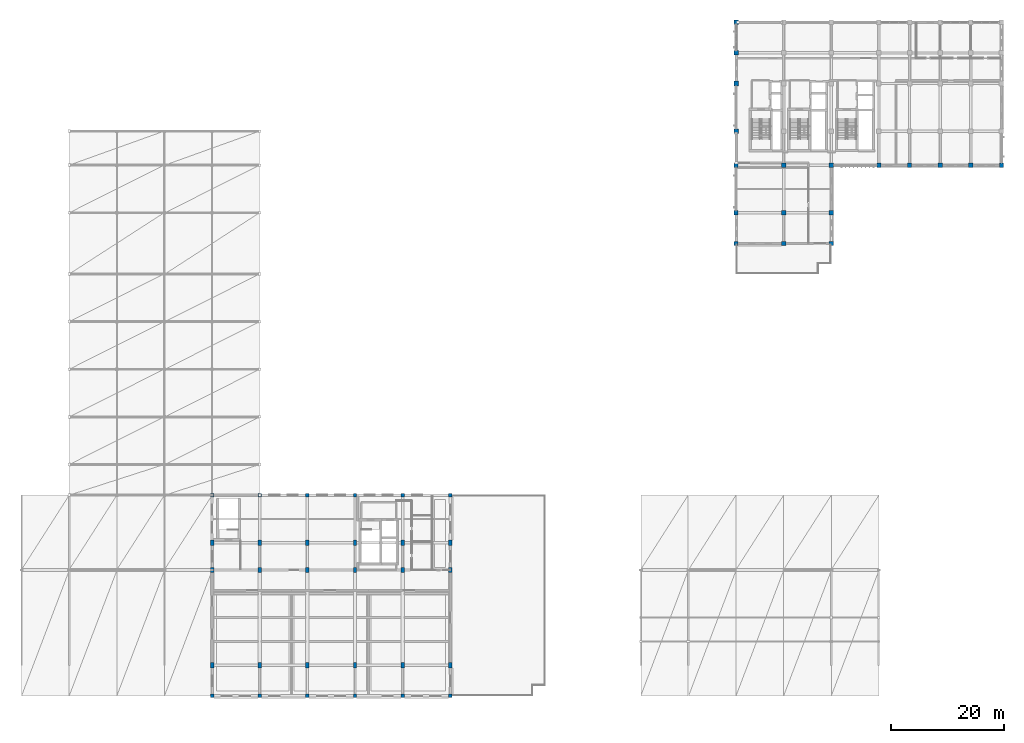
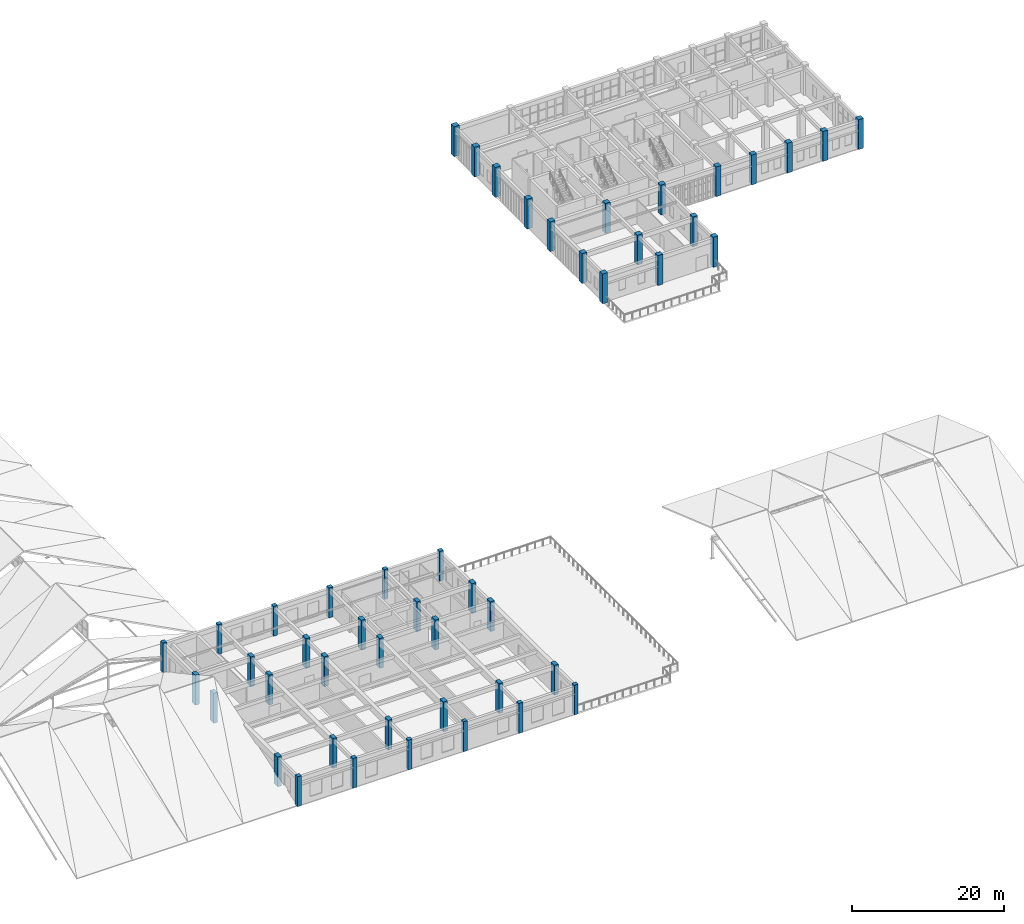
# One storey, part 1 of 76: 48 columns.
"""IFC4 building model written with IfcOpenShell, lengths in metres."""

from ifc_helpers import new_model, si_unit, direction, frame, origin, origin_2d, place, context, subcontext, project, spatial, rectangle, extrude, material, material_profile, profile_set, type_object, element, save


model = new_model("IFC4")

# Units and contexts
model_context = context("Model", 3, precision=1e-05, world=origin(), true_north=direction((0.0, 1.0)))
body_context = subcontext(model_context, "Body", "Model", "MODEL_VIEW")
ifc_project = project(units=[si_unit("LENGTHUNIT", "METRE"), si_unit("AREAUNIT", "SQUARE_METRE"), si_unit("VOLUMEUNIT", "CUBIC_METRE"), si_unit("PLANEANGLEUNIT", "RADIAN"), si_unit("MASSUNIT", "GRAM", prefix="KILO")], contexts=[model_context])

# Site, building, storey
site_placement = place(None, origin())
site = spatial("IfcSite", under=ifc_project, at=site_placement, CompositionType="ELEMENT")
building_placement = place(site_placement, origin())
building = spatial("IfcBuilding", under=site, at=building_placement, Name="Krzemoval Escarpment Law Courts", CompositionType="ELEMENT")
storey_placement = place(building_placement, frame((0.0, 0.0, 20.39990234375)))
storey = spatial("IfcBuildingStorey", under=building, at=storey_placement, Name="L04", CompositionType="ELEMENT", Elevation=20.39990234375)

# Columns
ifc_material_1 = material(Name="Concrete C40/50", Category="concrete")
ifc_material_profile_1 = material_profile(ifc_material_1, rectangle(XDim=0.60009765625, YDim=0.60009765625, at=origin_2d()), Name="RC 600x600")
ifc_profile_set_1 = profile_set([ifc_material_profile_1], Name="Concrete C40/50")
column_type_1 = type_object("IfcColumnType", Name="COL-RC-600", PredefinedType="COLUMN", material=ifc_profile_set_1)
for number, where, z_axis, x_axis, name in (
    (1, (33.60009765625, 0.0, 0.0), (0.0, 0.0, 1.0), (1.0, 0.0, 0.0), "Column FC-L04-1172"),
    (2, (33.60009765625, 35.39990234375, 0.0), (0.0, 0.0, 1.0), (1.0, 0.0, 0.0), "Column FC-L04-1176"),
    (3, (42.0, 0.0, 0.0), (0.0, 0.0, 1.0), (1.0, 0.0, 0.0), "Column FC-L04-1177"),
    (4, (42.0, 35.39990234375, 0.0), (0.0, 0.0, 1.0), (1.0, 0.0, 0.0), "Column FC-L04-1181"),
    (5, (50.39990234375, 0.0, 0.0), (0.0, 0.0, 1.0), (1.0, 0.0, 0.0), "Column FC-L04-1182"),
    (6, (50.39990234375, 35.39990234375, 0.0), (0.0, 0.0, 1.0), (1.0, 0.0, 0.0), "Column FC-L04-1186"),
    (7, (58.800048828125, 0.0, 0.0), (0.0, 0.0, 1.0), (1.0, 0.0, 0.0), "Column FC-L04-1187"),
    (8, (58.800048828125, 35.39990234375, 0.0), (0.0, 0.0, 1.0), (1.0, 0.0, 0.0), "Column FC-L04-1191"),
    (9, (67.199951171875, 0.0, 0.0), (0.0, 0.0, 1.0), (1.0, 0.0, 0.0), "Column FC-L04-1192"),
    (10, (67.199951171875, 35.39990234375, 0.0), (0.0, 0.0, 1.0), (1.0, 0.0, 0.0), "Column FC-L04-1196"),
    (11, (75.60009765625, 0.0, 0.0), (0.0, 0.0, 1.0), (1.0, 0.0, 0.0), "Column FC-L04-1197"),
    (12, (75.60009765625, 35.39990234375, 0.0), (0.0, 0.0, 1.0), (1.0, 0.0, 0.0), "Column FC-L04-1201"),
):
    element("IfcColumn", number, at=place(storey_placement, frame(where, z_axis=z_axis, x_axis=x_axis)), inside=storey, type_object=column_type_1, Name=name, PredefinedType="COLUMN", context=body_context, shape_type="SweptSolid", body=[
        extrude(rectangle(XDim=0.60009765625, YDim=0.60009765625, at=origin_2d()), origin(), (0.0, 0.0, 1.0), 4.800048828125),
    ])
ifc_material_2 = material(Name="Concrete C50/60", Category="concrete")
ifc_material_profile_2 = material_profile(ifc_material_2, rectangle(XDim=0.60009765625, YDim=0.89990234375, at=origin_2d()), Name="RC 600x900")
ifc_profile_set_2 = profile_set([ifc_material_profile_2], Name="Concrete C50/60")
column_type_2 = type_object("IfcColumnType", Name="COL-RC-600x900", PredefinedType="COLUMN", material=ifc_profile_set_2)
for number, where, z_axis, x_axis, name in (
    (13, (33.60009765625, 5.39990234375, 0.0), (0.0, 0.0, 1.0), (1.0, 0.0, 0.0), "Column FC-L04-1173"),
    (14, (33.60009765625, 22.199951171875, 0.0), (0.0, 0.0, 1.0), (1.0, 0.0, 0.0), "Column FC-L04-1174"),
    (15, (33.60009765625, 27.0, 0.0), (0.0, 0.0, 1.0), (1.0, 0.0, 0.0), "Column FC-L04-1175"),
    (16, (42.0, 5.39990234375, 0.0), (0.0, 0.0, 1.0), (1.0, 0.0, 0.0), "Column FC-L04-1178"),
    (17, (42.0, 22.199951171875, 0.0), (0.0, 0.0, 1.0), (1.0, 0.0, 0.0), "Column FC-L04-1179"),
    (18, (42.0, 27.0, 0.0), (0.0, 0.0, 1.0), (1.0, 0.0, 0.0), "Column FC-L04-1180"),
    (19, (50.39990234375, 5.39990234375, 0.0), (0.0, 0.0, 1.0), (1.0, 0.0, 0.0), "Column FC-L04-1183"),
    (20, (50.39990234375, 22.199951171875, 0.0), (0.0, 0.0, 1.0), (1.0, 0.0, 0.0), "Column FC-L04-1184"),
    (21, (50.39990234375, 27.0, 0.0), (0.0, 0.0, 1.0), (1.0, 0.0, 0.0), "Column FC-L04-1185"),
    (22, (58.800048828125, 5.39990234375, 0.0), (0.0, 0.0, 1.0), (1.0, 0.0, 0.0), "Column FC-L04-1188"),
    (23, (58.800048828125, 22.199951171875, 0.0), (0.0, 0.0, 1.0), (1.0, 0.0, 0.0), "Column FC-L04-1189"),
    (24, (58.800048828125, 27.0, 0.0), (0.0, 0.0, 1.0), (1.0, 0.0, 0.0), "Column FC-L04-1190"),
    (25, (67.199951171875, 5.39990234375, 0.0), (0.0, 0.0, 1.0), (1.0, 0.0, 0.0), "Column FC-L04-1193"),
    (26, (67.199951171875, 22.199951171875, 0.0), (0.0, 0.0, 1.0), (1.0, 0.0, 0.0), "Column FC-L04-1194"),
    (27, (67.199951171875, 27.0, 0.0), (0.0, 0.0, 1.0), (1.0, 0.0, 0.0), "Column FC-L04-1195"),
    (28, (75.60009765625, 5.39990234375, 0.0), (0.0, 0.0, 1.0), (1.0, 0.0, 0.0), "Column FC-L04-1198"),
    (29, (75.60009765625, 22.199951171875, 0.0), (0.0, 0.0, 1.0), (1.0, 0.0, 0.0), "Column FC-L04-1199"),
    (30, (75.60009765625, 27.0, 0.0), (0.0, 0.0, 1.0), (1.0, 0.0, 0.0), "Column FC-L04-1200"),
):
    element("IfcColumn", number, at=place(storey_placement, frame(where, z_axis=z_axis, x_axis=x_axis)), inside=storey, type_object=column_type_2, Name=name, PredefinedType="COLUMN", context=body_context, shape_type="SweptSolid", body=[
        extrude(rectangle(XDim=0.60009765625, YDim=0.89990234375, at=origin_2d()), origin(), (0.0, 0.0, 1.0), 4.800048828125),
    ])
ifc_material_3 = material(Name="Concrete C40/50", Category="concrete")
ifc_material_profile_3 = material_profile(ifc_material_3, rectangle(XDim=0.75, YDim=0.75, at=origin_2d()), Name="RC 750x750")
ifc_profile_set_3 = profile_set([ifc_material_profile_3], Name="Concrete C40/50")
column_type_3 = type_object("IfcColumnType", Name="COL-RC-750", PredefinedType="COLUMN", material=ifc_profile_set_3)
for number, where, z_axis, x_axis, name in (
    (31, (126.0, 79.800048828125, 0.0), (0.0, 0.0, 1.0), (1.0, 0.0, 0.0), "Column FC-L04-1202"),
    (32, (126.0, 85.199951171875, 0.0), (0.0, 0.0, 1.0), (1.0, 0.0, 0.0), "Column FC-L04-1203"),
    (33, (126.0, 93.60009765625, 0.0), (0.0, 0.0, 1.0), (1.0, 0.0, 0.0), "Column FC-L04-1204"),
    (34, (134.39990234375, 79.800048828125, 0.0), (0.0, 0.0, 1.0), (1.0, 0.0, 0.0), "Column FC-L04-1209"),
    (35, (134.39990234375, 85.199951171875, 0.0), (0.0, 0.0, 1.0), (1.0, 0.0, 0.0), "Column FC-L04-1210"),
    (36, (134.39990234375, 93.60009765625, 0.0), (0.0, 0.0, 1.0), (1.0, 0.0, 0.0), "Column FC-L04-1211"),
    (37, (142.800048828125, 79.800048828125, 0.0), (0.0, 0.0, 1.0), (1.0, 0.0, 0.0), "Column FC-L04-1216"),
    (38, (142.800048828125, 85.199951171875, 0.0), (0.0, 0.0, 1.0), (1.0, 0.0, 0.0), "Column FC-L04-1217"),
    (39, (142.800048828125, 93.60009765625, 0.0), (0.0, 0.0, 1.0), (1.0, 0.0, 0.0), "Column FC-L04-1218"),
    (40, (151.199951171875, 93.60009765625, 0.0), (0.0, 0.0, 1.0), (1.0, 0.0, 0.0), "Column FC-L04-1223"),
    (41, (156.60009765625, 93.60009765625, 0.0), (0.0, 0.0, 1.0), (1.0, 0.0, 0.0), "Column FC-L04-1228"),
    (42, (162.0, 93.60009765625, 0.0), (0.0, 0.0, 1.0), (1.0, 0.0, 0.0), "Column FC-L04-1233"),
    (43, (167.39990234375, 93.60009765625, 0.0), (0.0, 0.0, 1.0), (1.0, 0.0, 0.0), "Column FC-L04-1238"),
    (44, (172.800048828125, 93.60009765625, 0.0), (0.0, 0.0, 1.0), (1.0, 0.0, 0.0), "Column FC-L04-1243"),
):
    element("IfcColumn", number, at=place(storey_placement, frame(where, z_axis=z_axis, x_axis=x_axis)), inside=storey, type_object=column_type_3, Name=name, PredefinedType="COLUMN", context=body_context, shape_type="SweptSolid", body=[
        extrude(rectangle(XDim=0.75, YDim=0.75, at=origin_2d()), origin(), (0.0, 0.0, 1.0), 4.800048828125),
    ])
ifc_material_4 = material(Name="Concrete C40/50", Category="concrete")
ifc_material_profile_4 = material_profile(ifc_material_4, rectangle(XDim=0.800048828125, YDim=0.800048828125, at=origin_2d()), Name="RC 800x800")
ifc_profile_set_4 = profile_set([ifc_material_profile_4], Name="Concrete C40/50")
column_type_4 = type_object("IfcColumnType", Name="COL-RC-800", PredefinedType="COLUMN", material=ifc_profile_set_4)
for number, where, z_axis, x_axis, name in (
    (45, (126.0, 99.60009765625, 0.0), (0.0, 0.0, 1.0), (1.0, 0.0, 0.0), "Column FC-L04-1205"),
    (46, (126.0, 108.0, 0.0), (0.0, 0.0, 1.0), (1.0, 0.0, 0.0), "Column FC-L04-1206"),
    (47, (126.0, 113.39990234375, 0.0), (0.0, 0.0, 1.0), (1.0, 0.0, 0.0), "Column FC-L04-1207"),
    (48, (126.0, 118.800048828125, 0.0), (0.0, 0.0, 1.0), (1.0, 0.0, 0.0), "Column FC-L04-1208"),
):
    element("IfcColumn", number, at=place(storey_placement, frame(where, z_axis=z_axis, x_axis=x_axis)), inside=storey, type_object=column_type_4, Name=name, PredefinedType="COLUMN", context=body_context, shape_type="SweptSolid", body=[
        extrude(rectangle(XDim=0.800048828125, YDim=0.800048828125, at=origin_2d()), origin(), (0.0, 0.0, 1.0), 4.800048828125),
    ])

save(model, "model.ifc")
